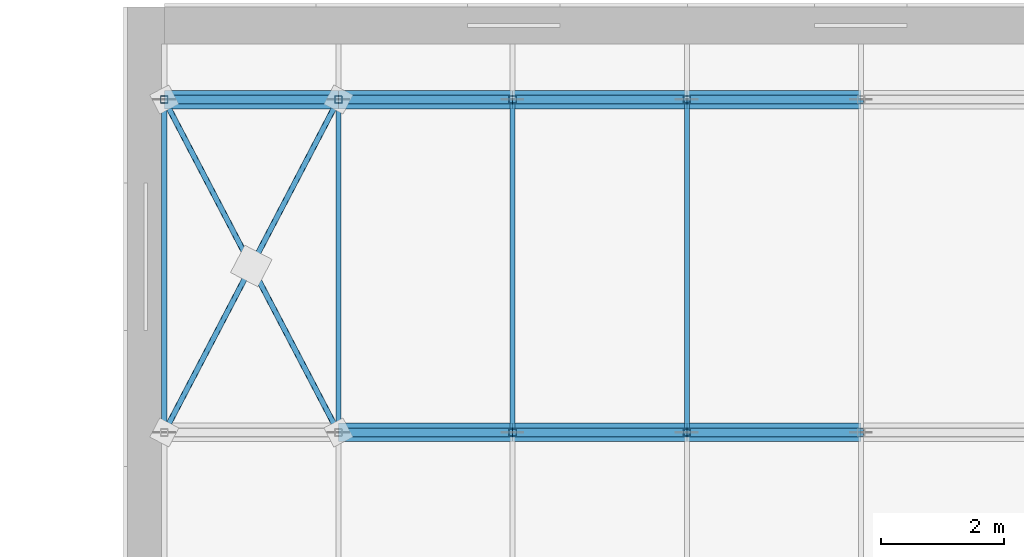
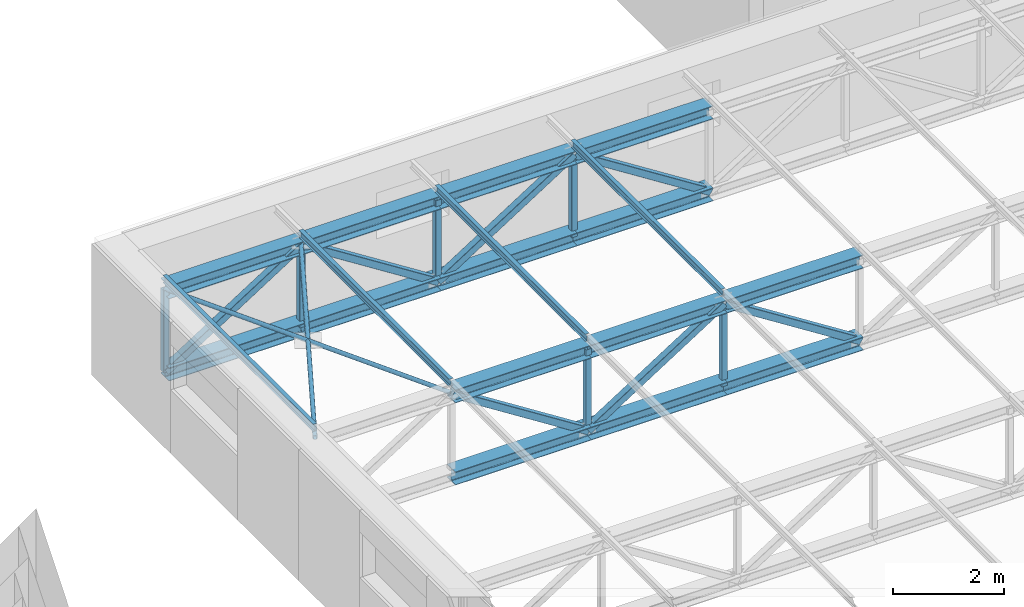
# One storey, part 29 of 132: 34 members.
"""IFC4 building model written with IfcOpenShell, lengths in metres."""

from ifc_helpers import new_model, si_unit, direction, frame, origin, origin_2d, place, context, subcontext, project, spatial, hollow_rectangle, hollow_circle, i_section, extrude, material, material_profile, profile_set, type_object, element, save


model = new_model("IFC4")

# Units and contexts
model_context = context("Model", 3, precision=1e-05, world=origin(), true_north=direction((0.0, 1.0)))
body_context = subcontext(model_context, "Body", "Model", "MODEL_VIEW")
ifc_project = project(units=[si_unit("LENGTHUNIT", "METRE"), si_unit("AREAUNIT", "SQUARE_METRE"), si_unit("VOLUMEUNIT", "CUBIC_METRE"), si_unit("PLANEANGLEUNIT", "RADIAN"), si_unit("MASSUNIT", "GRAM", prefix="KILO")], contexts=[model_context])

# Site, building, storey
site_placement = place(None, origin())
site = spatial("IfcSite", under=ifc_project, at=site_placement, CompositionType="ELEMENT")
building_placement = place(site_placement, origin())
building = spatial("IfcBuilding", under=site, at=building_placement, Name="Lunette Opera House", CompositionType="ELEMENT")
storey_placement = place(building_placement, frame((0.0, 0.0, 17.0)))
storey = spatial("IfcBuildingStorey", under=building, at=storey_placement, Name="L03", CompositionType="ELEMENT", Elevation=17.0)

# Members
ifc_material_1 = material(Name="Steel S355", Category="steel")
ifc_material_profile_1 = material_profile(ifc_material_1, hollow_circle(Radius=0.04443359375, WallThickness=0.00390625, at=origin_2d()), Name="CHS 88.9X4")
ifc_profile_set_1 = profile_set([ifc_material_profile_1], Name="Steel S355")
member_type_1 = type_object("IfcMemberType", Name="BRACING CHS 88.9X4", PredefinedType="BRACE", material=ifc_profile_set_1)
member_1_placement = place(storey_placement, frame((60.60009765625, 113.39990234375, 2.574951171875), z_axis=(0.463530915667, 0.886080747009, 0.0), x_axis=(-0.886080747009, 0.463530915667, 0.0)))
element("IfcMember", 1, at=member_1_placement, inside=storey, type_object=member_type_1, Name="mem-ST-L03-SW-TR-BRQ4P1A", PredefinedType="BRACE", context=body_context, shape_type="SweptSolid", body=[
    extrude(hollow_circle(Radius=0.04443359375, WallThickness=0.00390625, at=origin_2d()), origin(), (0.0, 0.0, 1.0), 6.094482421875),
])
member_2_placement = place(storey_placement, frame((63.425048828125, 113.39990234375, 2.574951171875), z_axis=(-0.463671700413, 0.886007084755, 0.0), x_axis=(-0.886007084755, -0.463671700413, 0.0)))
element("IfcMember", 2, at=member_2_placement, inside=storey, type_object=member_type_1, Name="mem-ST-L03-SW-TR-BRQ4P1B segment 1", PredefinedType="BRACE", context=body_context, shape_type="SweptSolid", body=[
    extrude(hollow_circle(Radius=0.04443359375, WallThickness=0.00390625, at=origin_2d()), origin(), (0.0, 0.0, 1.0), 3.047607421875),
])
member_3_placement = place(storey_placement, frame((62.011962890625, 116.10009765625, 2.574951171875), z_axis=(-0.463390083074, 0.886154405795, 0.0), x_axis=(-0.886154405795, -0.463390083074, 0.0)))
element("IfcMember", 3, at=member_3_placement, inside=storey, type_object=member_type_1, Name="mem-ST-L03-SW-TR-BRQ4P1B segment 2", PredefinedType="BRACE", context=body_context, shape_type="SweptSolid", body=[
    extrude(hollow_circle(Radius=0.04443359375, WallThickness=0.00390625, at=origin_2d()), origin(), (0.0, 0.0, 1.0), 3.046875),
])
ifc_material_2 = material(Name="Steel S355", Category="steel")
ifc_material_profile_2 = material_profile(ifc_material_2, i_section(OverallWidth=0.300048828125, OverallDepth=0.2900390625, WebThickness=0.008544921875, FlangeThickness=0.013916015625, FilletRadius=0.027099609375, at=origin_2d()), Name="HEA 300")
ifc_profile_set_2 = profile_set([ifc_material_profile_2], Name="Steel S355")
member_type_2 = type_object("IfcMemberType", Name="CHORD HEA 300", PredefinedType="CHORD", material=ifc_profile_set_2)
for number, where, z_axis, x_axis, name in (
    (4, (63.425048828125, 113.39990234375, 2.574951171875), (1.0, 0.0, 0.0), (0.0, 1.0, 0.0), "mem-ST-L03-SW-TR04-TC2"),
    (5, (63.425048828125, 113.39990234375, 0.77490234375), (1.0, 0.0, 0.0), (0.0, 1.0, 0.0), "mem-ST-L03-SW-TR04-BC2"),
    (6, (66.25, 113.39990234375, 2.574951171875), (1.0, 0.0, 0.0), (0.0, 1.0, 0.0), "mem-ST-L03-SW-TR04-TC3"),
    (7, (66.25, 113.39990234375, 0.77490234375), (1.0, 0.0, 0.0), (0.0, 1.0, 0.0), "mem-ST-L03-SW-TR04-BC3"),
    (8, (69.074951171875, 113.39990234375, 2.574951171875), (1.0, 0.0, 0.0), (0.0, 1.0, 0.0), "mem-ST-L03-SW-TR04-TC4"),
    (9, (69.074951171875, 113.39990234375, 0.77490234375), (1.0, 0.0, 0.0), (0.0, 1.0, 0.0), "mem-ST-L03-SW-TR04-BC4"),
    (10, (60.60009765625, 118.800048828125, 2.574951171875), (1.0, 0.0, 0.0), (0.0, 1.0, 0.0), "mem-ST-L03-SW-TR05-TC1"),
    (11, (60.60009765625, 118.800048828125, 0.77490234375), (1.0, 0.0, 0.0), (0.0, 1.0, 0.0), "mem-ST-L03-SW-TR05-BC1"),
    (12, (63.425048828125, 118.800048828125, 2.574951171875), (1.0, 0.0, 0.0), (0.0, 1.0, 0.0), "mem-ST-L03-SW-TR05-TC2"),
    (13, (63.425048828125, 118.800048828125, 0.77490234375), (1.0, 0.0, 0.0), (0.0, 1.0, 0.0), "mem-ST-L03-SW-TR05-BC2"),
    (14, (66.25, 118.800048828125, 2.574951171875), (1.0, 0.0, 0.0), (0.0, 1.0, 0.0), "mem-ST-L03-SW-TR05-TC3"),
    (15, (66.25, 118.800048828125, 0.77490234375), (1.0, 0.0, 0.0), (0.0, 1.0, 0.0), "mem-ST-L03-SW-TR05-BC3"),
    (16, (69.074951171875, 118.800048828125, 2.574951171875), (1.0, 0.0, 0.0), (0.0, 1.0, 0.0), "mem-ST-L03-SW-TR05-TC4"),
    (17, (69.074951171875, 118.800048828125, 0.77490234375), (1.0, 0.0, 0.0), (0.0, 1.0, 0.0), "mem-ST-L03-SW-TR05-BC4"),
):
    element("IfcMember", number, at=place(storey_placement, frame(where, z_axis=z_axis, x_axis=x_axis)), inside=storey, type_object=member_type_2, Name=name, PredefinedType="CHORD", context=body_context, shape_type="SweptSolid", body=[
        extrude(i_section(OverallWidth=0.300048828125, OverallDepth=0.2900390625, WebThickness=0.008544921875, FlangeThickness=0.013916015625, FilletRadius=0.027099609375, at=origin_2d()), origin(), (0.0, 0.0, 1.0), 2.824951171875),
    ])
ifc_material_3 = material(Name="Steel S355", Category="steel")
ifc_material_profile_3 = material_profile(ifc_material_3, hollow_rectangle(XDim=0.14990234375, YDim=0.14990234375, WallThickness=0.006103515625, InnerFilletRadius=0.006103515625, OuterFilletRadius=0.011962890625, at=origin_2d()), Name="RHS 150X150X6")
ifc_profile_set_3 = profile_set([ifc_material_profile_3], Name="Steel S355")
member_type_3 = type_object("IfcMemberType", Name="DIAGONAL RHS 150X150X6", PredefinedType="BRACE", material=ifc_profile_set_3)
for number, where, z_axis, x_axis, name in (
    (18, (63.425048828125, 113.39990234375, 2.574951171875), (0.843343221477, 0.0, -0.537375297896), (0.0, 1.0, 0.0), "mem-ST-L03-SW-TR04-TD2"),
    (19, (66.25, 113.39990234375, 0.77490234375), (0.843343221477, 0.0, 0.537375297896), (0.0, 1.0, 0.0), "mem-ST-L03-SW-TR04-TD3"),
    (20, (69.074951171875, 113.39990234375, 2.574951171875), (0.843343221477, 0.0, -0.537375297896), (0.0, 1.0, 0.0), "mem-ST-L03-SW-TR04-TD4"),
    (21, (60.60009765625, 118.800048828125, 0.77490234375), (0.843343221477, 0.0, 0.537375297896), (0.0, 1.0, 0.0), "mem-ST-L03-SW-TR05-TD1"),
    (22, (63.425048828125, 118.800048828125, 2.574951171875), (0.843343221477, 0.0, -0.537375297896), (0.0, 1.0, 0.0), "mem-ST-L03-SW-TR05-TD2"),
    (23, (66.25, 118.800048828125, 0.77490234375), (0.843343221477, 0.0, 0.537375297896), (0.0, 1.0, 0.0), "mem-ST-L03-SW-TR05-TD3"),
    (24, (69.074951171875, 118.800048828125, 2.574951171875), (0.843343221477, 0.0, -0.537375297896), (0.0, 1.0, 0.0), "mem-ST-L03-SW-TR05-TD4"),
):
    element("IfcMember", number, at=place(storey_placement, frame(where, z_axis=z_axis, x_axis=x_axis)), inside=storey, type_object=member_type_3, Name=name, PredefinedType="BRACE", context=body_context, shape_type="SweptSolid", body=[
        extrude(hollow_rectangle(XDim=0.14990234375, YDim=0.14990234375, WallThickness=0.006103515625, InnerFilletRadius=0.006103515625, OuterFilletRadius=0.011962890625, at=origin_2d()), origin(), (0.0, 0.0, 1.0), 3.349609375),
    ])
ifc_material_4 = material(Name="Steel S355", Category="steel")
ifc_material_profile_4 = material_profile(ifc_material_4, i_section(OverallWidth=0.08203125, OverallDepth=0.159912109375, WebThickness=0.0048828125, FlangeThickness=0.00732421875, FilletRadius=0.009033203125, at=origin_2d()), Name="IPE 160")
ifc_profile_set_4 = profile_set([ifc_material_profile_4], Name="Steel S355")
member_type_4 = type_object("IfcMemberType", Name="PURLIN IPE 160", PredefinedType="PURLIN", material=ifc_profile_set_4)
for number, where, z_axis, x_axis, name in (
    (25, (60.60009765625, 113.39990234375, 2.800048828125), (0.0, 1.0, 0.0), (-1.0, 0.0, 0.0), "mem-ST-L03-SW-TR-PU1-5"),
    (26, (63.425048828125, 113.39990234375, 2.800048828125), (0.0, 1.0, 0.0), (-1.0, 0.0, 0.0), "mem-ST-L03-SW-TR-PU2-5"),
    (27, (66.25, 113.39990234375, 2.800048828125), (0.0, 1.0, 0.0), (-1.0, 0.0, 0.0), "mem-ST-L03-SW-TR-PU3-5"),
    (28, (69.074951171875, 113.39990234375, 2.800048828125), (0.0, 1.0, 0.0), (-1.0, 0.0, 0.0), "mem-ST-L03-SW-TR-PU4-5"),
):
    element("IfcMember", number, at=place(storey_placement, frame(where, z_axis=z_axis, x_axis=x_axis)), inside=storey, type_object=member_type_4, Name=name, PredefinedType="PURLIN", context=body_context, shape_type="SweptSolid", body=[
        extrude(i_section(OverallWidth=0.08203125, OverallDepth=0.159912109375, WebThickness=0.0048828125, FlangeThickness=0.00732421875, FilletRadius=0.009033203125, at=origin_2d()), origin(), (0.0, 0.0, 1.0), 5.400146484375),
    ])
ifc_material_5 = material(Name="Steel S355", Category="steel")
ifc_material_profile_5 = material_profile(ifc_material_5, hollow_rectangle(XDim=0.1201171875, YDim=0.1201171875, WallThickness=0.0048828125, InnerFilletRadius=0.0048828125, OuterFilletRadius=0.010009765625, at=origin_2d()), Name="RHS 120X120X5")
ifc_profile_set_5 = profile_set([ifc_material_profile_5], Name="Steel S355")
member_type_5 = type_object("IfcMemberType", Name="VERTICAL RHS 120X120X5", PredefinedType="POST", material=ifc_profile_set_5)
for number, where, z_axis, x_axis, name in (
    (29, (66.25, 113.39990234375, 0.77490234375), (0.0, 0.0, 1.0), (1.0, 0.0, 0.0), "mem-ST-L03-SW-TR04-TV3"),
    (30, (69.074951171875, 113.39990234375, 0.77490234375), (0.0, 0.0, 1.0), (1.0, 0.0, 0.0), "mem-ST-L03-SW-TR04-TV4"),
    (31, (60.60009765625, 118.800048828125, 0.77490234375), (0.0, 0.0, 1.0), (1.0, 0.0, 0.0), "mem-ST-L03-SW-TR05-TV1"),
    (32, (63.425048828125, 118.800048828125, 0.77490234375), (0.0, 0.0, 1.0), (1.0, 0.0, 0.0), "mem-ST-L03-SW-TR05-TV2"),
    (33, (66.25, 118.800048828125, 0.77490234375), (0.0, 0.0, 1.0), (1.0, 0.0, 0.0), "mem-ST-L03-SW-TR05-TV3"),
    (34, (69.074951171875, 118.800048828125, 0.77490234375), (0.0, 0.0, 1.0), (1.0, 0.0, 0.0), "mem-ST-L03-SW-TR05-TV4"),
):
    element("IfcMember", number, at=place(storey_placement, frame(where, z_axis=z_axis, x_axis=x_axis)), inside=storey, type_object=member_type_5, Name=name, PredefinedType="POST", context=body_context, shape_type="SweptSolid", body=[
        extrude(hollow_rectangle(XDim=0.1201171875, YDim=0.1201171875, WallThickness=0.0048828125, InnerFilletRadius=0.0048828125, OuterFilletRadius=0.010009765625, at=origin_2d()), origin(), (0.0, 0.0, 1.0), 1.800048828125),
    ])

save(model, "model.ifc")
